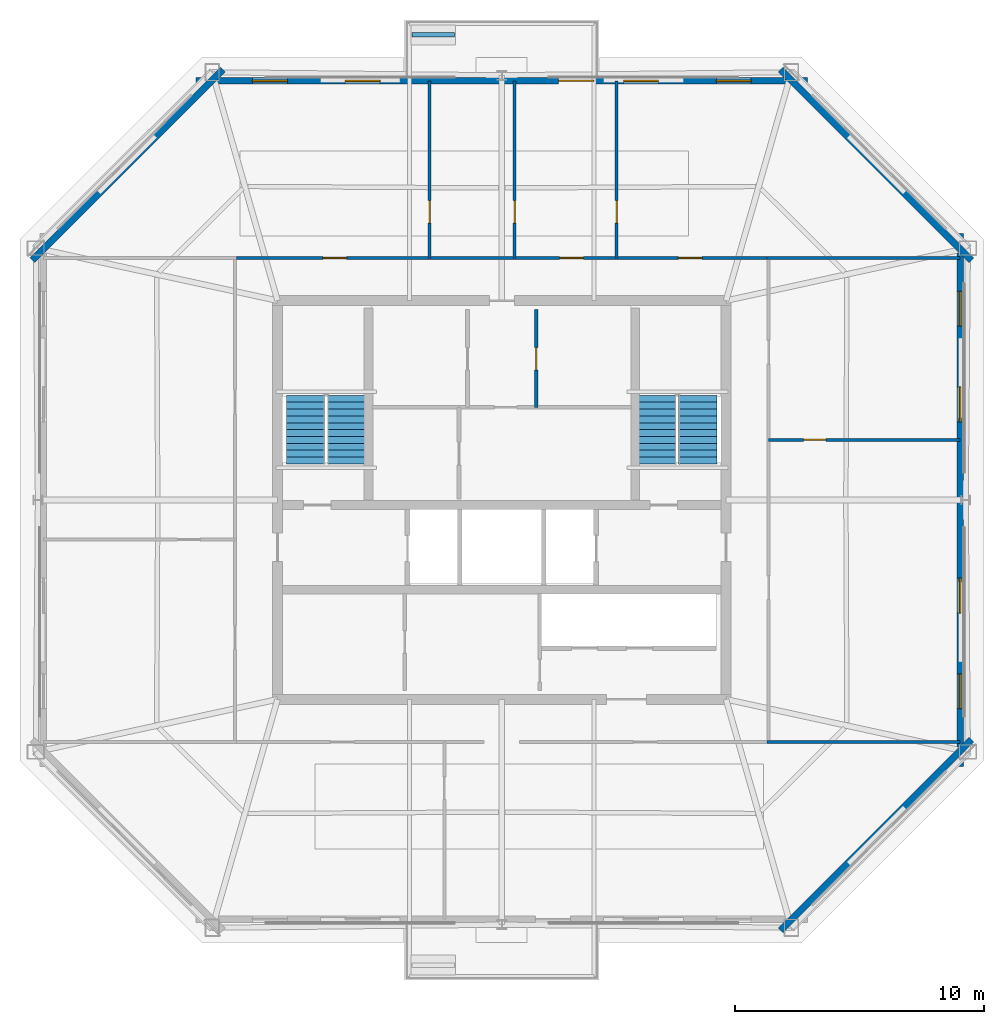
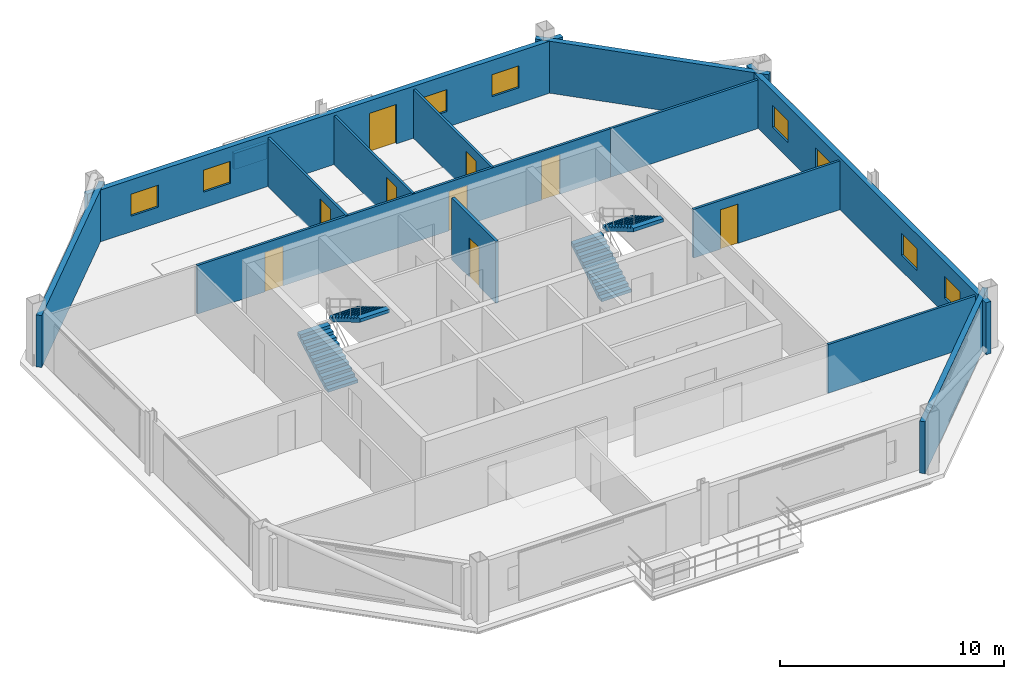
# One storey, part 4 of 7: 14 walls, 9 doors, 8 windows, 4 stair flights, 17 openings, 2 elements without a shape of their own.
"""IFC4 building model written with IfcOpenShell, lengths in metres."""

import ifcopenshell
import ifcopenshell.guid

model = None  # the IFC model being written
_history = None  # IfcOwnerHistory: only IFC2X3 demands one
_inside = {}  # id of a spatial element -> (the spatial element, [elements in it])
_under = {}  # id of a project, library or spatial element -> (it, [spatial elements below it])
_declared = {}  # id of a project -> (the project, [libraries it declares])
_typed = {}  # id of a type object -> (the type object, [elements of that type])
_made_of = {}  # id of a material, layer set ... -> (it, [elements and type objects made of it])


def new_model(schema):
    """Start an empty IFC model of exactly this schema.

    Asked for "IFC4X3", IfcOpenShell would pick the latest addendum, in which some entities
    have other attributes; the version numbers below select the first issue.
    IFC2X3 requires an IfcOwnerHistory on every rooted entity: one is made here for all.
    """
    global model, _history
    if schema == "IFC4X3":
        model = ifcopenshell.file(schema_version=(4, 3, 0, 0))
    else:
        model = ifcopenshell.file(schema=schema)
    _inside.clear()
    _under.clear()
    _declared.clear()
    _typed.clear()
    _made_of.clear()
    _history = None
    if model.schema == "IFC2X3":
        org = make("IfcOrganization", Name="unknown")
        user = make(
            "IfcPersonAndOrganization",
            ThePerson=make("IfcPerson", FamilyName="unknown"),
            TheOrganization=org,
        )
        app = make(
            "IfcApplication",
            ApplicationDeveloper=org,
            Version="unknown",
            ApplicationFullName="unknown",
            ApplicationIdentifier="unknown",
        )
        _history = make(
            "IfcOwnerHistory",
            OwningUser=user,
            OwningApplication=app,
            ChangeAction="ADDED",
            CreationDate=0,
        )
    return model


def make(cls, **values):
    """One entity of the class cls with the attributes given. An attribute that is None is left unset."""
    return model.create_entity(
        cls, **{name: value for name, value in values.items() if value is not None}
    )


def rooted(cls, **values):
    """An entity with a GlobalId (a new one), such as an element, a storey or a relation."""
    return make(cls, GlobalId=ifcopenshell.guid.new(), OwnerHistory=_history, **values)


def si_unit(unit_type, name, prefix=None):
    """IfcSIUnit, for example si_unit("LENGTHUNIT", "METRE", prefix="MILLI")."""
    return make("IfcSIUnit", UnitType=unit_type, Prefix=prefix, Name=name)


def assignment(units):
    """IfcUnitAssignment: the units of a project."""
    return None if units is None else make("IfcUnitAssignment", Units=units)


def point(xyz):
    """IfcCartesianPoint."""
    return None if xyz is None else make("IfcCartesianPoint", Coordinates=xyz)


def direction(xyz):
    """IfcDirection."""
    return None if xyz is None else make("IfcDirection", DirectionRatios=xyz)


def frame(location, z_axis=None, x_axis=None):
    """IfcAxis2Placement3D, a coordinate frame: its origin and axes. An axis left out is left unset."""
    return make(
        "IfcAxis2Placement3D",
        Location=point(location),
        Axis=direction(z_axis),
        RefDirection=direction(x_axis),
    )


def frame_2d(location, x_axis=None):
    """IfcAxis2Placement2D, a coordinate frame in the plane: its origin and x axis."""
    return make(
        "IfcAxis2Placement2D", Location=point(location), RefDirection=direction(x_axis)
    )


def origin():
    """The frame at (0, 0, 0) with its axes left unset."""
    return frame((0.0, 0.0, 0.0))


def place(relative_to, where):
    """IfcLocalPlacement: puts the frame where relative to a parent placement (None: the world)."""
    return make(
        "IfcLocalPlacement", PlacementRelTo=relative_to, RelativePlacement=where
    )


def context(
    kind, dimensions, precision=None, world=None, true_north=None, identifier=None
):
    """IfcGeometricRepresentationContext, for example the 3D "Model" context."""
    return make(
        "IfcGeometricRepresentationContext",
        ContextIdentifier=identifier,
        ContextType=kind,
        CoordinateSpaceDimension=dimensions,
        Precision=precision,
        WorldCoordinateSystem=world,
        TrueNorth=true_north,
    )


def subcontext(parent, identifier, kind, view, scale=None):
    """IfcGeometricRepresentationSubContext, for example "Body" below "Model"."""
    return make(
        "IfcGeometricRepresentationSubContext",
        ContextIdentifier=identifier,
        ContextType=kind,
        ParentContext=parent,
        TargetScale=scale,
        TargetView=view,
    )


def project(units=None, contexts=None):
    """IfcProject with its units and contexts."""
    return rooted(
        "IfcProject",
        Name="project",
        RepresentationContexts=contexts,
        UnitsInContext=assignment(units),
    )


def spatial(cls, under=None, at=None, **own):
    """A site, building, storey or space (cls), placed at a placement, below another one or the project."""
    s = rooted(cls, ObjectPlacement=at, **own)
    if under is not None:
        _under.setdefault(under.id(), (under, []))[1].append(s)
    return s


def polyline(points):
    """IfcPolyline through the points."""
    return make("IfcPolyline", Points=[point(p) for p in points])


def profile(cls, at=None, kind="AREA", **sizes):
    """A parametric profile (cls). Its sizes go by their IFC names, for example OverallWidth=200.0."""
    return make(cls, ProfileType=kind, Position=at, **sizes)


def rectangle(**sizes):
    """IfcRectangleProfileDef."""
    return profile("IfcRectangleProfileDef", **sizes)


def outline(outer, holes=None, kind="AREA"):
    """IfcArbitraryClosedProfileDef: a profile drawn as a closed curve; with holes, ...WithVoids."""
    if holes is None:
        return make("IfcArbitraryClosedProfileDef", ProfileType=kind, OuterCurve=outer)
    return make(
        "IfcArbitraryProfileDefWithVoids",
        ProfileType=kind,
        OuterCurve=outer,
        InnerCurves=holes,
    )


def extrude(swept, where, along, depth):
    """IfcExtrudedAreaSolid: the profile swept, set in the frame where, extruded along a direction by depth."""
    return make(
        "IfcExtrudedAreaSolid",
        SweptArea=swept,
        Position=where,
        ExtrudedDirection=direction(along),
        Depth=depth,
    )


def shape(context_of_items, identifier, shape_type, items):
    """IfcShapeRepresentation: the items that make up one representation, for example the "Body"."""
    return make(
        "IfcShapeRepresentation",
        ContextOfItems=context_of_items,
        RepresentationIdentifier=identifier,
        RepresentationType=shape_type,
        Items=items,
    )


def material(Name=None, Category=None):
    """IfcMaterial."""
    return make("IfcMaterial", Name=Name, Category=Category)


def layer(
    of_material, thickness, ventilated=None, Name=None, Category=None, Priority=None
):
    """IfcMaterialLayer: one layer of a wall or slab, of a material (None: an air gap)."""
    return make(
        "IfcMaterialLayer",
        Material=of_material,
        LayerThickness=thickness,
        IsVentilated=ventilated,
        Name=Name,
        Category=Category,
        Priority=Priority,
    )


def layer_set(layers, Name=None):
    """IfcMaterialLayerSet."""
    return make("IfcMaterialLayerSet", MaterialLayers=layers, LayerSetName=Name)


def made_of(thing, what):
    """Note that an element or type object is made of a material, layer set ...; save() writes the relation."""
    if what is not None:
        _made_of.setdefault(what.id(), (what, []))[1].append(thing)
    return thing


def type_object(cls, material=None, **own):
    """A type object (cls), such as IfcWallType, which elements share."""
    return made_of(rooted(cls, **own), material)


def element(
    cls,
    number,
    at=None,
    inside=None,
    cuts=None,
    type_object=None,
    material=None,
    context=None,
    identifier="Body",
    shape_type=None,
    held_by="IfcProductDefinitionShape",
    body=None,
    shapes=None,
    **own,
):
    """One element of the class cls, such as IfcWall. Its Tag is "e" and its number.

    at: its placement. inside: the storey or other place that contains it. cuts: it is an
    opening in that element (IfcRelVoidsElement). A single representation is given by context,
    identifier, shape_type and body (its items); several are given by shapes. held_by: the class
    of the entity that holds the representations. save() writes the other relations.
    """
    e = rooted(cls, Tag="e%d" % number, ObjectPlacement=at, **own)
    if body is not None:
        shapes = [shape(context, identifier, shape_type, body)]
    if shapes is not None:
        e.Representation = make(held_by, Representations=shapes)
    if inside is not None:
        _inside.setdefault(inside.id(), (inside, []))[1].append(e)
    if cuts is not None:
        rooted(
            "IfcRelVoidsElement", RelatingBuildingElement=cuts, RelatedOpeningElement=e
        )
    if type_object is not None:
        _typed.setdefault(type_object.id(), (type_object, []))[1].append(e)
    return made_of(e, material)


def fill(opening, filler):
    """IfcRelFillsElement: the door or window that sits in an opening."""
    return rooted(
        "IfcRelFillsElement",
        RelatingOpeningElement=opening,
        RelatedBuildingElement=filler,
    )


def aggregate(whole, parts):
    """IfcRelAggregates: a whole, such as a stair, and the parts it consists of."""
    return rooted("IfcRelAggregates", RelatingObject=whole, RelatedObjects=parts)


def save(model, path):
    """Write the relations noted so far, then the file.

    IfcRelAggregates (storeys below a building ...), IfcRelContainedInSpatialStructure (elements
    in a storey), IfcRelDefinesByType, IfcRelAssociatesMaterial and IfcRelDeclares: one each for
    every whole, place, type object, material and project.
    """
    for whole, parts in _under.values():
        aggregate(whole, parts)
    for where, things in _inside.values():
        rooted(
            "IfcRelContainedInSpatialStructure",
            RelatedElements=things,
            RelatingStructure=where,
        )
    for kind, things in _typed.values():
        rooted("IfcRelDefinesByType", RelatedObjects=things, RelatingType=kind)
    for what, things in _made_of.values():
        rooted("IfcRelAssociatesMaterial", RelatedObjects=things, RelatingMaterial=what)
    for by, libraries in _declared.values():
        rooted("IfcRelDeclares", RelatingContext=by, RelatedDefinitions=libraries)
    model.write(path)


model = new_model("IFC4")

# Units and contexts
model_context = context("Model", 3, precision=1e-05, world=origin(), true_north=direction((0.0, 1.0)))
body_context = subcontext(model_context, "Body", "Model", "MODEL_VIEW")
ifc_project = project(units=[si_unit("LENGTHUNIT", "METRE"), si_unit("AREAUNIT", "SQUARE_METRE"), si_unit("VOLUMEUNIT", "CUBIC_METRE"), si_unit("PLANEANGLEUNIT", "RADIAN"), si_unit("MASSUNIT", "GRAM", prefix="KILO")], contexts=[model_context])

# Site, building, storey
site_placement = place(None, origin())
site = spatial("IfcSite", under=ifc_project, at=site_placement, CompositionType="ELEMENT")
building_placement = place(site_placement, origin())
building = spatial("IfcBuilding", under=site, at=building_placement, Name="Caelvoria Tower", CompositionType="ELEMENT")
storey_placement = place(building_placement, frame((0.0, 0.0, 253.800048828125)))
storey = spatial("IfcBuildingStorey", under=building, at=storey_placement, Name="L67", CompositionType="ELEMENT", Elevation=253.800048828125)

# Wall
ifc_material_1 = material(Name="Bronze-Clad Concrete C40/50", Category="concrete")
ifc_layer_1 = layer(ifc_material_1, 0.179931640625, Name="Bronze-Clad Concrete C40/50")
ifc_layer_set_1 = layer_set([ifc_layer_1], Name="Architectural Planter Kerb Wall 180 - Bronze-Clad Concrete C40/50")
wall_type_1 = type_object("IfcWallType", Name="Architectural Planter Kerb Wall 180", PredefinedType="PARAPET", material=ifc_layer_set_1)
wall_1_placement = place(storey_placement, frame((42.39990234375, 50.66357421875, 0.0), z_axis=(0.0, 0.0, 1.0), x_axis=(1.0, 0.0, 0.0)))
element("IfcWall", 1, at=wall_1_placement, inside=storey, type_object=wall_type_1, Name="Tree Balcony Planter Kerb PLANTER TB-L67-N", PredefinedType="PARAPET", context=body_context, shape_type="SweptSolid", body=[
    extrude(rectangle(XDim=1.7001953125, YDim=0.179931640625, at=frame_2d((0.85009765625, 0.0))), origin(), (0.0, 0.0, 1.0), 0.8798828125),
])

# Wall, opening, door
ifc_material_2 = material(Name="Double Gypsum Board on Steel Stud", Category="steel")
ifc_layer_2 = layer(ifc_material_2, 0.14990234375, Name="Double Gypsum Board on Steel Stud")
ifc_layer_set_2 = layer_set([ifc_layer_2], Name="Core Service Acoustic Partition Wall 150 - Double Gypsum Board on Steel Stud")
wall_type_2 = type_object("IfcWallType", Name="Core Service Acoustic Partition Wall 150", PredefinedType="PARTITIONING", material=ifc_layer_set_2)
wall_2_placement = place(storey_placement, frame((47.3798828125, 35.719970703125, 0.0), z_axis=(0.0, 0.0, 1.0), x_axis=(0.0, 1.0, 0.0)))
wall_2 = element("IfcWall", 2, at=wall_2_placement, inside=storey, type_object=wall_type_2, Name="Interior Partition IW-L67-C0R", PredefinedType="PARTITIONING", context=body_context, shape_type="SweptSolid", body=[
    extrude(rectangle(XDim=3.929931640625, YDim=0.14990234375, at=frame_2d((1.96484375, 0.0))), origin(), (0.0, 0.0, 1.0), 3.375),
])
opening_1_placement = place(wall_2_placement, frame((1.5, 0.0, 0.0)))
opening_1 = element("IfcOpeningElement", 3, at=opening_1_placement, cuts=wall_2, Name="Opening ID-06", PredefinedType="OPENING", context=body_context, shape_type="SweptSolid", body=[
    extrude(rectangle(XDim=0.89990234375, YDim=2.14990234375, at=frame_2d((0.449951171875, 1.074951171875))), frame((0.0, 0.0849609375, 0.0), z_axis=(0.0, -1.0, 0.0), x_axis=(1.0, 0.0, 0.0)), (0.0, 0.0, 1.0), 0.169921875),
])
ifc_material_3 = material(Name="Engineered Andean Oak Veneer Door", Category="wood")
door_type_1 = type_object("IfcDoorType", Name="Interior Timber Door 900x2150", OperationType="NOTDEFINED", PredefinedType="DOOR", material=ifc_material_3)
door_1_placement = place(opening_1_placement, origin())
door_1 = element("IfcDoor", 4, at=door_1_placement, inside=storey, type_object=door_type_1, Name="Interior Door DR-L67-C02", OperationType="SINGLE_SWING_RIGHT", OverallHeight=2.14990234375, OverallWidth=0.89990234375, PredefinedType="DOOR", context=body_context, shape_type="SweptSolid", body=[
    extrude(rectangle(XDim=0.89990234375, YDim=2.14990234375, at=frame_2d((0.449951171875, 1.074951171875))), frame((0.0, 0.02490234375, 0.0), z_axis=(0.0, -1.0, 0.0), x_axis=(1.0, 0.0, 0.0)), (0.0, 0.0, 1.0), 0.050048828125),
])
fill(opening_1, door_1)

ifc_material_4 = material(Name="Acoustic Gypsum Board on Light-Gauge Stud", Category="gypsum")
ifc_layer_3 = layer(ifc_material_4, 0.1201171875, Name="Acoustic Gypsum Board on Light-Gauge Stud")
ifc_layer_set_3 = layer_set([ifc_layer_3], Name="Tenant Suite Acoustic Partition Wall 120 - Acoustic Gypsum Board on Light-Gauge Stud")
wall_type_3 = type_object("IfcWallType", Name="Tenant Suite Acoustic Partition Wall 120", PredefinedType="PARTITIONING", material=ifc_layer_set_3)
wall_3_placement = place(storey_placement, frame((43.103759765625, 41.7099609375, 0.0), z_axis=(0.0, 0.0, 1.0), x_axis=(0.0, 1.0, 0.0)))
wall_3 = element("IfcWall", 5, at=wall_3_placement, inside=storey, type_object=wall_type_3, Name="Interior Partition IW-L67-ND-00-0", PredefinedType="PARTITIONING", context=body_context, shape_type="SweptSolid", body=[
    extrude(rectangle(XDim=7.113525390625, YDim=0.1201171875, at=frame_2d((3.556640625, 0.0))), origin(), (0.0, 0.0, 1.0), 2.655029296875),
])
opening_2_placement = place(wall_3_placement, frame((1.39990234375, 0.0, 0.0)))
opening_2 = element("IfcOpeningElement", 6, at=opening_2_placement, cuts=wall_3, Name="Opening ID-06", PredefinedType="OPENING", context=body_context, shape_type="SweptSolid", body=[
    extrude(rectangle(XDim=0.89990234375, YDim=2.14990234375, at=frame_2d((0.449951171875, 1.074951171875))), frame((0.0, 0.070068359375, 0.0), z_axis=(0.0, -1.0, 0.0), x_axis=(1.0, 0.0, 0.0)), (0.0, 0.0, 1.0), 0.14013671875),
])
door_2_placement = place(opening_2_placement, origin())
door_2 = element("IfcDoor", 7, at=door_2_placement, inside=storey, type_object=door_type_1, Name="Interior Door DR-L67-NM-00-0", OperationType="SINGLE_SWING_RIGHT", OverallHeight=2.14990234375, OverallWidth=0.89990234375, PredefinedType="DOOR", context=body_context, shape_type="SweptSolid", body=[
    extrude(rectangle(XDim=0.89990234375, YDim=2.14990234375, at=frame_2d((0.449951171875, 1.074951171875))), frame((0.0, 0.02490234375, 0.0), z_axis=(0.0, -1.0, 0.0), x_axis=(1.0, 0.0, 0.0)), (0.0, 0.0, 1.0), 0.050048828125),
])
fill(opening_2, door_2)

wall_4_placement = place(storey_placement, frame((46.518798828125, 41.7099609375, 0.0), z_axis=(0.0, 0.0, 1.0), x_axis=(0.0, 1.0, 0.0)))
wall_4 = element("IfcWall", 8, at=wall_4_placement, inside=storey, type_object=wall_type_3, Name="Interior Partition IW-L67-ND-01-0", PredefinedType="PARTITIONING", context=body_context, shape_type="SweptSolid", body=[
    extrude(rectangle(XDim=7.113525390625, YDim=0.1201171875, at=frame_2d((3.556640625, 0.0))), origin(), (0.0, 0.0, 1.0), 2.655029296875),
])
opening_3_placement = place(wall_4_placement, frame((1.39990234375, 0.0, 0.0)))
opening_3 = element("IfcOpeningElement", 9, at=opening_3_placement, cuts=wall_4, Name="Opening ID-06", PredefinedType="OPENING", context=body_context, shape_type="SweptSolid", body=[
    extrude(rectangle(XDim=0.89990234375, YDim=2.14990234375, at=frame_2d((0.449951171875, 1.074951171875))), frame((0.0, 0.070068359375, 0.0), z_axis=(0.0, -1.0, 0.0), x_axis=(1.0, 0.0, 0.0)), (0.0, 0.0, 1.0), 0.14013671875),
])
door_3_placement = place(opening_3_placement, origin())
door_3 = element("IfcDoor", 10, at=door_3_placement, inside=storey, type_object=door_type_1, Name="Interior Door DR-L67-NM-01-0", OperationType="SINGLE_SWING_LEFT", OverallHeight=2.14990234375, OverallWidth=0.89990234375, PredefinedType="DOOR", context=body_context, shape_type="SweptSolid", body=[
    extrude(rectangle(XDim=0.89990234375, YDim=2.14990234375, at=frame_2d((0.449951171875, 1.074951171875))), frame((0.0, 0.02490234375, 0.0), z_axis=(0.0, -1.0, 0.0), x_axis=(1.0, 0.0, 0.0)), (0.0, 0.0, 1.0), 0.050048828125),
])
fill(opening_3, door_3)

wall_5_placement = place(storey_placement, frame((50.60888671875, 41.7099609375, 0.0), z_axis=(0.0, 0.0, 1.0), x_axis=(0.0, 1.0, 0.0)))
wall_5 = element("IfcWall", 11, at=wall_5_placement, inside=storey, type_object=wall_type_3, Name="Interior Partition IW-L67-ND-02-0", PredefinedType="PARTITIONING", context=body_context, shape_type="SweptSolid", body=[
    extrude(rectangle(XDim=7.113525390625, YDim=0.1201171875, at=frame_2d((3.556640625, 0.0))), origin(), (0.0, 0.0, 1.0), 2.655029296875),
])
opening_4_placement = place(wall_5_placement, frame((1.39990234375, 0.0, 0.0)))
opening_4 = element("IfcOpeningElement", 12, at=opening_4_placement, cuts=wall_5, Name="Opening ID-06", PredefinedType="OPENING", context=body_context, shape_type="SweptSolid", body=[
    extrude(rectangle(XDim=0.89990234375, YDim=2.14990234375, at=frame_2d((0.449951171875, 1.074951171875))), frame((0.0, 0.070068359375, 0.0), z_axis=(0.0, -1.0, 0.0), x_axis=(1.0, 0.0, 0.0)), (0.0, 0.0, 1.0), 0.14013671875),
])
door_4_placement = place(opening_4_placement, origin())
door_4 = element("IfcDoor", 13, at=door_4_placement, inside=storey, type_object=door_type_1, Name="Interior Door DR-L67-NM-02-0", OperationType="SINGLE_SWING_RIGHT", OverallHeight=2.14990234375, OverallWidth=0.89990234375, PredefinedType="DOOR", context=body_context, shape_type="SweptSolid", body=[
    extrude(rectangle(XDim=0.89990234375, YDim=2.14990234375, at=frame_2d((0.449951171875, 1.074951171875))), frame((0.0, 0.02490234375, 0.0), z_axis=(0.0, -1.0, 0.0), x_axis=(1.0, 0.0, 0.0)), (0.0, 0.0, 1.0), 0.050048828125),
])
fill(opening_4, door_4)

# Wall, openings, doors
wall_6_placement = place(storey_placement, frame((35.35009765625, 41.7099609375, 0.0), z_axis=(0.0, 0.0, 1.0), x_axis=(1.0, 0.0, 0.0)))
wall_6 = element("IfcWall", 14, at=wall_6_placement, inside=storey, type_object=wall_type_3, Name="Interior Partition IW-L67-NCW-0", PredefinedType="PARTITIONING", context=body_context, shape_type="SweptSolid", body=[
    extrude(rectangle(XDim=21.2998046875, YDim=0.1201171875, at=frame_2d((10.64990234375, 0.0))), origin(), (0.0, 0.0, 1.0), 2.655029296875),
])
opening_5_placement = place(wall_6_placement, frame((3.471923828125, 0.0, 0.0)))
opening_5 = element("IfcOpeningElement", 15, at=opening_5_placement, cuts=wall_6, Name="Opening ID-05", PredefinedType="OPENING", context=body_context, shape_type="SweptSolid", body=[
    extrude(rectangle(XDim=0.949951171875, YDim=2.14990234375, at=frame_2d((0.47509765625, 1.074951171875))), frame((0.0, 0.070068359375, 0.0), z_axis=(0.0, -1.0, 0.0), x_axis=(1.0, 0.0, 0.0)), (0.0, 0.0, 1.0), 0.14013671875),
])
opening_6_placement = place(wall_6_placement, frame((12.974609375, 0.0, 0.0)))
opening_6 = element("IfcOpeningElement", 16, at=opening_6_placement, cuts=wall_6, Name="Opening ID-05", PredefinedType="OPENING", context=body_context, shape_type="SweptSolid", body=[
    extrude(rectangle(XDim=0.949951171875, YDim=2.14990234375, at=frame_2d((0.47509765625, 1.074951171875))), frame((0.0, 0.070068359375, 0.0), z_axis=(0.0, -1.0, 0.0), x_axis=(1.0, 0.0, 0.0)), (0.0, 0.0, 1.0), 0.14013671875),
])
opening_7_placement = place(wall_6_placement, frame((17.734619140625, 0.0, 0.0)))
opening_7 = element("IfcOpeningElement", 17, at=opening_7_placement, cuts=wall_6, Name="Opening ID-05", PredefinedType="OPENING", context=body_context, shape_type="SweptSolid", body=[
    extrude(rectangle(XDim=0.949951171875, YDim=2.14990234375, at=frame_2d((0.47509765625, 1.074951171875))), frame((0.0, 0.070068359375, 0.0), z_axis=(0.0, -1.0, 0.0), x_axis=(1.0, 0.0, 0.0)), (0.0, 0.0, 1.0), 0.14013671875),
])
door_type_2 = type_object("IfcDoorType", Name="Interior Timber Door 950x2150", OperationType="NOTDEFINED", PredefinedType="DOOR", material=ifc_material_3)
door_5_placement = place(opening_5_placement, origin())
door_5 = element("IfcDoor", 18, at=door_5_placement, inside=storey, type_object=door_type_2, Name="Interior Door DR-L67-NC-00-0", OperationType="SINGLE_SWING_RIGHT", OverallHeight=2.14990234375, OverallWidth=0.949951171875, PredefinedType="DOOR", context=body_context, shape_type="SweptSolid", body=[
    extrude(rectangle(XDim=0.949951171875, YDim=2.14990234375, at=frame_2d((0.47509765625, 1.074951171875))), frame((0.0, 0.02490234375, 0.0), z_axis=(0.0, -1.0, 0.0), x_axis=(1.0, 0.0, 0.0)), (0.0, 0.0, 1.0), 0.050048828125),
])
fill(opening_5, door_5)
door_6_placement = place(opening_6_placement, origin())
door_6 = element("IfcDoor", 19, at=door_6_placement, inside=storey, type_object=door_type_2, Name="Interior Door DR-L67-NC-02-0", OperationType="SINGLE_SWING_RIGHT", OverallHeight=2.14990234375, OverallWidth=0.949951171875, PredefinedType="DOOR", context=body_context, shape_type="SweptSolid", body=[
    extrude(rectangle(XDim=0.949951171875, YDim=2.14990234375, at=frame_2d((0.47509765625, 1.074951171875))), frame((0.0, 0.02490234375, 0.0), z_axis=(0.0, -1.0, 0.0), x_axis=(1.0, 0.0, 0.0)), (0.0, 0.0, 1.0), 0.050048828125),
])
fill(opening_6, door_6)
door_7_placement = place(opening_7_placement, origin())
door_7 = element("IfcDoor", 20, at=door_7_placement, inside=storey, type_object=door_type_2, Name="Interior Door DR-L67-NC-03-0", OperationType="SINGLE_SWING_LEFT", OverallHeight=2.14990234375, OverallWidth=0.949951171875, PredefinedType="DOOR", context=body_context, shape_type="SweptSolid", body=[
    extrude(rectangle(XDim=0.949951171875, YDim=2.14990234375, at=frame_2d((0.47509765625, 1.074951171875))), frame((0.0, 0.02490234375, 0.0), z_axis=(0.0, -1.0, 0.0), x_axis=(1.0, 0.0, 0.0)), (0.0, 0.0, 1.0), 0.050048828125),
])
fill(opening_7, door_7)

# Wall, opening, door
wall_7_placement = place(storey_placement, frame((56.7099609375, 34.413330078125, 0.0), z_axis=(0.0, 0.0, 1.0), x_axis=(1.0, 0.0, 0.0)))
wall_7 = element("IfcWall", 21, at=wall_7_placement, inside=storey, type_object=wall_type_3, Name="Interior Partition IW-L67-ED-00-0", PredefinedType="PARTITIONING", context=body_context, shape_type="SweptSolid", body=[
    extrude(rectangle(XDim=7.6865234375, YDim=0.1201171875, at=frame_2d((3.84326171875, 0.0))), origin(), (0.0, 0.0, 1.0), 2.655029296875),
])
opening_8_placement = place(wall_7_placement, frame((1.39990234375, 0.0, 0.0)))
opening_8 = element("IfcOpeningElement", 22, at=opening_8_placement, cuts=wall_7, Name="Opening ID-06", PredefinedType="OPENING", context=body_context, shape_type="SweptSolid", body=[
    extrude(rectangle(XDim=0.89990234375, YDim=2.14990234375, at=frame_2d((0.449951171875, 1.074951171875))), frame((0.0, 0.070068359375, 0.0), z_axis=(0.0, -1.0, 0.0), x_axis=(1.0, 0.0, 0.0)), (0.0, 0.0, 1.0), 0.14013671875),
])
door_8_placement = place(opening_8_placement, origin())
door_8 = element("IfcDoor", 23, at=door_8_placement, inside=storey, type_object=door_type_1, Name="Interior Door DR-L67-EM-00-0", OperationType="SINGLE_SWING_RIGHT", OverallHeight=2.14990234375, OverallWidth=0.89990234375, PredefinedType="DOOR", context=body_context, shape_type="SweptSolid", body=[
    extrude(rectangle(XDim=0.89990234375, YDim=2.14990234375, at=frame_2d((0.449951171875, 1.074951171875))), frame((0.0, 0.02490234375, 0.0), z_axis=(0.0, -1.0, 0.0), x_axis=(1.0, 0.0, 0.0)), (0.0, 0.0, 1.0), 0.050048828125),
])
fill(opening_8, door_8)

# Walls
for number, where, z_axis, x_axis, name in (
    (24, (56.64990234375, 22.2900390625, 0.0), (0.0, 0.0, 1.0), (1.0, 0.0, 0.0), "Interior Partition IW-L67-BSE-0"),
    (25, (56.64990234375, 41.7099609375, 0.0), (0.0, 0.0, 1.0), (1.0, 0.0, 0.0), "Interior Partition IW-L67-BNE-0"),
):
    element("IfcWall", number, at=place(storey_placement, frame(where, z_axis=z_axis, x_axis=x_axis)), inside=storey, type_object=wall_type_3, Name=name, PredefinedType="PARTITIONING", context=body_context, shape_type="SweptSolid", body=[
        extrude(rectangle(XDim=7.74658203125, YDim=0.1201171875, at=frame_2d((3.873291015625, 0.0))), origin(), (0.0, 0.0, 1.0), 2.655029296875),
    ])
ifc_material_5 = material(Name="Precast Concrete C40/50 with Bronze Cladding", Category="concrete")
ifc_layer_4 = layer(ifc_material_5, 0.264892578125, Name="Precast Concrete C40/50 with Bronze Cladding")
ifc_layer_set_4 = layer_set([ifc_layer_4], Name="Upper Taper Precast Concrete C40/50 Bronze Facade Wall 265 - Precast Concrete C40/50 with Bronze Cladding")
wall_type_4 = type_object("IfcWallType", Name="Upper Taper Precast Concrete C40/50 Bronze Facade Wall 265", PredefinedType="STANDARD", material=ifc_layer_set_4)
wall_8_placement = place(storey_placement, frame((57.19287109375, 14.7314453125, 0.0), z_axis=(0.0, 0.0, 1.0), x_axis=(0.707106781187, 0.707106781187, 0.0)))
element("IfcWall", 26, at=wall_8_placement, inside=storey, type_object=wall_type_4, Name="Exterior Facade Wall L67-E1", PredefinedType="STANDARD", context=body_context, shape_type="SweptSolid", body=[
    extrude(rectangle(XDim=10.81640625, YDim=0.264892578125, at=frame_2d((5.408203125, 0.0))), origin(), (0.0, 0.0, 1.0), 2.83203125),
])

# Wall, openings, windows
wall_9_placement = place(storey_placement, frame((64.396484375, 21.305419921875, 0.0), z_axis=(0.0, 0.0, 1.0), x_axis=(0.0, 1.0, 0.0)))
wall_9 = element("IfcWall", 27, at=wall_9_placement, inside=storey, type_object=wall_type_4, Name="Exterior Facade Wall L67-E2", PredefinedType="STANDARD", context=body_context, shape_type="SweptSolid", body=[
    extrude(rectangle(XDim=21.38916015625, YDim=0.264892578125, at=frame_2d((10.694580078125, 0.0))), origin(), (0.0, 0.0, 1.0), 2.83203125),
])
opening_9_placement = place(wall_9_placement, frame((2.31884765625, 0.0, 0.85009765625)))
opening_9 = element("IfcOpeningElement", 28, at=opening_9_placement, cuts=wall_9, Name="Opening WN-06", PredefinedType="OPENING", context=body_context, shape_type="SweptSolid", body=[
    extrude(rectangle(XDim=1.39990234375, YDim=1.199951171875, at=frame_2d((0.699951171875, 0.60009765625))), frame((0.0, 0.142333984375, 0.0), z_axis=(0.0, -1.0, 0.0), x_axis=(1.0, 0.0, 0.0)), (0.0, 0.0, 1.0), 0.284912109375),
])
opening_10_placement = place(wall_9_placement, frame((6.15673828125, 0.0, 0.85009765625)))
opening_10 = element("IfcOpeningElement", 29, at=opening_10_placement, cuts=wall_9, Name="Opening WN-06", PredefinedType="OPENING", context=body_context, shape_type="SweptSolid", body=[
    extrude(rectangle(XDim=1.39990234375, YDim=1.199951171875, at=frame_2d((0.699951171875, 0.60009765625))), frame((0.0, 0.142333984375, 0.0), z_axis=(0.0, -1.0, 0.0), x_axis=(1.0, 0.0, 0.0)), (0.0, 0.0, 1.0), 0.284912109375),
])
opening_11_placement = place(wall_9_placement, frame((13.832275390625, 0.0, 0.85009765625)))
opening_11 = element("IfcOpeningElement", 30, at=opening_11_placement, cuts=wall_9, Name="Opening WN-06", PredefinedType="OPENING", context=body_context, shape_type="SweptSolid", body=[
    extrude(rectangle(XDim=1.39990234375, YDim=1.199951171875, at=frame_2d((0.699951171875, 0.60009765625))), frame((0.0, 0.142333984375, 0.0), z_axis=(0.0, -1.0, 0.0), x_axis=(1.0, 0.0, 0.0)), (0.0, 0.0, 1.0), 0.284912109375),
])
opening_12_placement = place(wall_9_placement, frame((17.670166015625, 0.0, 0.85009765625)))
opening_12 = element("IfcOpeningElement", 31, at=opening_12_placement, cuts=wall_9, Name="Opening WN-06", PredefinedType="OPENING", context=body_context, shape_type="SweptSolid", body=[
    extrude(rectangle(XDim=1.39990234375, YDim=1.199951171875, at=frame_2d((0.699951171875, 0.60009765625))), frame((0.0, 0.142333984375, 0.0), z_axis=(0.0, -1.0, 0.0), x_axis=(1.0, 0.0, 0.0)), (0.0, 0.0, 1.0), 0.284912109375),
])
ifc_material_6 = material(Name="Low-E Tinted Glass in Bronze Aluminium Frame", Category="aluminium")
window_type = type_object("IfcWindowType", Name="Podium Clerestory Window 1400x1200", PartitioningType="SINGLE_PANEL", PredefinedType="WINDOW", material=ifc_material_6)
window_1_placement = place(opening_9_placement, origin())
window_1 = element("IfcWindow", 32, at=window_1_placement, inside=storey, type_object=window_type, Name="Facade Window L67-E2-00", OverallHeight=1.199951171875, OverallWidth=1.39990234375, PartitioningType="SINGLE_PANEL", PredefinedType="WINDOW", context=body_context, shape_type="SweptSolid", body=[
    extrude(rectangle(XDim=1.39990234375, YDim=1.199951171875, at=frame_2d((0.699951171875, 0.60009765625))), frame((0.0, 0.030029296875, 0.0), z_axis=(0.0, -1.0, 0.0), x_axis=(1.0, 0.0, 0.0)), (0.0, 0.0, 1.0), 0.06005859375),
])
fill(opening_9, window_1)
window_2_placement = place(opening_10_placement, origin())
window_2 = element("IfcWindow", 33, at=window_2_placement, inside=storey, type_object=window_type, Name="Facade Window L67-E2-01", OverallHeight=1.199951171875, OverallWidth=1.39990234375, PartitioningType="SINGLE_PANEL", PredefinedType="WINDOW", context=body_context, shape_type="SweptSolid", body=[
    extrude(rectangle(XDim=1.39990234375, YDim=1.199951171875, at=frame_2d((0.699951171875, 0.60009765625))), frame((0.0, 0.030029296875, 0.0), z_axis=(0.0, -1.0, 0.0), x_axis=(1.0, 0.0, 0.0)), (0.0, 0.0, 1.0), 0.06005859375),
])
fill(opening_10, window_2)
window_3_placement = place(opening_11_placement, origin())
window_3 = element("IfcWindow", 34, at=window_3_placement, inside=storey, type_object=window_type, Name="Facade Window L67-E2-03", OverallHeight=1.199951171875, OverallWidth=1.39990234375, PartitioningType="SINGLE_PANEL", PredefinedType="WINDOW", context=body_context, shape_type="SweptSolid", body=[
    extrude(rectangle(XDim=1.39990234375, YDim=1.199951171875, at=frame_2d((0.699951171875, 0.60009765625))), frame((0.0, 0.030029296875, 0.0), z_axis=(0.0, -1.0, 0.0), x_axis=(1.0, 0.0, 0.0)), (0.0, 0.0, 1.0), 0.06005859375),
])
fill(opening_11, window_3)
window_4_placement = place(opening_12_placement, origin())
window_4 = element("IfcWindow", 35, at=window_4_placement, inside=storey, type_object=window_type, Name="Facade Window L67-E2-04", OverallHeight=1.199951171875, OverallWidth=1.39990234375, PartitioningType="SINGLE_PANEL", PredefinedType="WINDOW", context=body_context, shape_type="SweptSolid", body=[
    extrude(rectangle(XDim=1.39990234375, YDim=1.199951171875, at=frame_2d((0.699951171875, 0.60009765625))), frame((0.0, 0.030029296875, 0.0), z_axis=(0.0, -1.0, 0.0), x_axis=(1.0, 0.0, 0.0)), (0.0, 0.0, 1.0), 0.06005859375),
])
fill(opening_12, window_4)

# Wall
wall_10_placement = place(storey_placement, frame((64.84130859375, 41.6201171875, 0.0), z_axis=(0.0, 0.0, 1.0), x_axis=(-0.707106781187, 0.707106781187, 0.0)))
element("IfcWall", 36, at=wall_10_placement, inside=storey, type_object=wall_type_4, Name="Exterior Facade Wall L67-E3", PredefinedType="STANDARD", context=body_context, shape_type="SweptSolid", body=[
    extrude(rectangle(XDim=10.81640625, YDim=0.264892578125, at=frame_2d((5.408203125, 0.0))), origin(), (0.0, 0.0, 1.0), 2.83203125),
])

# Wall, openings, windows, door
wall_11_placement = place(storey_placement, frame((58.267333984375, 48.823486328125, 0.0), z_axis=(0.0, 0.0, 1.0), x_axis=(-1.0, 0.0, 0.0)))
wall_11 = element("IfcWall", 37, at=wall_11_placement, inside=storey, type_object=wall_type_4, Name="Exterior Facade Wall L67-E4", PredefinedType="STANDARD", context=body_context, shape_type="SweptSolid", body=[
    extrude(rectangle(XDim=24.53466796875, YDim=0.264892578125, at=frame_2d((12.267333984375, 0.0))), origin(), (0.0, 0.0, 1.0), 2.83203125),
])
opening_13_placement = place(wall_11_placement, frame((8.58740234375, 0.0, 0.0)))
opening_13 = element("IfcOpeningElement", 38, at=opening_13_placement, cuts=wall_11, Name="Opening ED-04", PredefinedType="OPENING", context=body_context, shape_type="SweptSolid", body=[
    extrude(rectangle(XDim=1.39990234375, YDim=2.14990234375, at=frame_2d((0.699951171875, 1.074951171875))), frame((0.0, 0.142333984375, 0.0), z_axis=(0.0, -1.0, 0.0), x_axis=(1.0, 0.0, 0.0)), (0.0, 0.0, 1.0), 0.284912109375),
])
opening_14_placement = place(wall_11_placement, frame((2.26123046875, 0.0, 0.85009765625)))
opening_14 = element("IfcOpeningElement", 39, at=opening_14_placement, cuts=wall_11, Name="Opening WN-06", PredefinedType="OPENING", context=body_context, shape_type="SweptSolid", body=[
    extrude(rectangle(XDim=1.39990234375, YDim=1.199951171875, at=frame_2d((0.699951171875, 0.60009765625))), frame((0.0, 0.142333984375, 0.0), z_axis=(0.0, -1.0, 0.0), x_axis=(1.0, 0.0, 0.0)), (0.0, 0.0, 1.0), 0.284912109375),
])
opening_15_placement = place(wall_11_placement, frame((5.983642578125, 0.0, 0.85009765625)))
opening_15 = element("IfcOpeningElement", 40, at=opening_15_placement, cuts=wall_11, Name="Opening WN-06", PredefinedType="OPENING", context=body_context, shape_type="SweptSolid", body=[
    extrude(rectangle(XDim=1.39990234375, YDim=1.199951171875, at=frame_2d((0.699951171875, 0.60009765625))), frame((0.0, 0.142333984375, 0.0), z_axis=(0.0, -1.0, 0.0), x_axis=(1.0, 0.0, 0.0)), (0.0, 0.0, 1.0), 0.284912109375),
])
opening_16_placement = place(wall_11_placement, frame((17.15087890625, 0.0, 0.85009765625)))
opening_16 = element("IfcOpeningElement", 41, at=opening_16_placement, cuts=wall_11, Name="Opening WN-06", PredefinedType="OPENING", context=body_context, shape_type="SweptSolid", body=[
    extrude(rectangle(XDim=1.39990234375, YDim=1.199951171875, at=frame_2d((0.699951171875, 0.60009765625))), frame((0.0, 0.142333984375, 0.0), z_axis=(0.0, -1.0, 0.0), x_axis=(1.0, 0.0, 0.0)), (0.0, 0.0, 1.0), 0.284912109375),
])
opening_17_placement = place(wall_11_placement, frame((20.873291015625, 0.0, 0.85009765625)))
opening_17 = element("IfcOpeningElement", 42, at=opening_17_placement, cuts=wall_11, Name="Opening WN-06", PredefinedType="OPENING", context=body_context, shape_type="SweptSolid", body=[
    extrude(rectangle(XDim=1.39990234375, YDim=1.199951171875, at=frame_2d((0.699951171875, 0.60009765625))), frame((0.0, 0.142333984375, 0.0), z_axis=(0.0, -1.0, 0.0), x_axis=(1.0, 0.0, 0.0)), (0.0, 0.0, 1.0), 0.284912109375),
])
window_5_placement = place(opening_14_placement, origin())
window_5 = element("IfcWindow", 43, at=window_5_placement, inside=storey, type_object=window_type, Name="Facade Window L67-E4-00", OverallHeight=1.199951171875, OverallWidth=1.39990234375, PartitioningType="SINGLE_PANEL", PredefinedType="WINDOW", context=body_context, shape_type="SweptSolid", body=[
    extrude(rectangle(XDim=1.39990234375, YDim=1.199951171875, at=frame_2d((0.699951171875, 0.60009765625))), frame((0.0, 0.030029296875, 0.0), z_axis=(0.0, -1.0, 0.0), x_axis=(1.0, 0.0, 0.0)), (0.0, 0.0, 1.0), 0.06005859375),
])
fill(opening_14, window_5)
window_6_placement = place(opening_15_placement, origin())
window_6 = element("IfcWindow", 44, at=window_6_placement, inside=storey, type_object=window_type, Name="Facade Window L67-E4-01", OverallHeight=1.199951171875, OverallWidth=1.39990234375, PartitioningType="SINGLE_PANEL", PredefinedType="WINDOW", context=body_context, shape_type="SweptSolid", body=[
    extrude(rectangle(XDim=1.39990234375, YDim=1.199951171875, at=frame_2d((0.699951171875, 0.60009765625))), frame((0.0, 0.030029296875, 0.0), z_axis=(0.0, -1.0, 0.0), x_axis=(1.0, 0.0, 0.0)), (0.0, 0.0, 1.0), 0.06005859375),
])
fill(opening_15, window_6)
window_7_placement = place(opening_16_placement, origin())
window_7 = element("IfcWindow", 45, at=window_7_placement, inside=storey, type_object=window_type, Name="Facade Window L67-E4-04", OverallHeight=1.199951171875, OverallWidth=1.39990234375, PartitioningType="SINGLE_PANEL", PredefinedType="WINDOW", context=body_context, shape_type="SweptSolid", body=[
    extrude(rectangle(XDim=1.39990234375, YDim=1.199951171875, at=frame_2d((0.699951171875, 0.60009765625))), frame((0.0, 0.030029296875, 0.0), z_axis=(0.0, -1.0, 0.0), x_axis=(1.0, 0.0, 0.0)), (0.0, 0.0, 1.0), 0.06005859375),
])
fill(opening_16, window_7)
window_8_placement = place(opening_17_placement, origin())
window_8 = element("IfcWindow", 46, at=window_8_placement, inside=storey, type_object=window_type, Name="Facade Window L67-E4-05", OverallHeight=1.199951171875, OverallWidth=1.39990234375, PartitioningType="SINGLE_PANEL", PredefinedType="WINDOW", context=body_context, shape_type="SweptSolid", body=[
    extrude(rectangle(XDim=1.39990234375, YDim=1.199951171875, at=frame_2d((0.699951171875, 0.60009765625))), frame((0.0, 0.030029296875, 0.0), z_axis=(0.0, -1.0, 0.0), x_axis=(1.0, 0.0, 0.0)), (0.0, 0.0, 1.0), 0.06005859375),
])
fill(opening_17, window_8)
ifc_material_7 = material(Name="Anodised Bronze Aluminium and Laminated Glass", Category="aluminium")
door_type_3 = type_object("IfcDoorType", Name="Tree Balcony Glazed Door 1400x2150", OperationType="NOTDEFINED", PredefinedType="DOOR", material=ifc_material_7)
door_9_placement = place(opening_13_placement, origin())
door_9 = element("IfcDoor", 47, at=door_9_placement, inside=storey, type_object=door_type_3, Name="Tree Balcony Door L67-N", OperationType="SINGLE_SWING_RIGHT", OverallHeight=2.14990234375, OverallWidth=1.39990234375, PredefinedType="DOOR", context=body_context, shape_type="SweptSolid", body=[
    extrude(rectangle(XDim=1.39990234375, YDim=2.14990234375, at=frame_2d((0.699951171875, 1.074951171875))), frame((0.0, 0.02490234375, 0.0), z_axis=(0.0, -1.0, 0.0), x_axis=(1.0, 0.0, 0.0)), (0.0, 0.0, 1.0), 0.050048828125),
])
fill(opening_13, door_9)

# Wall
wall_12_placement = place(storey_placement, frame((34.80712890625, 49.2685546875, 0.0), z_axis=(0.0, 0.0, 1.0), x_axis=(-0.707106781187, -0.707106781187, 0.0)))
element("IfcWall", 48, at=wall_12_placement, inside=storey, type_object=wall_type_4, Name="Exterior Facade Wall L67-E5", PredefinedType="STANDARD", context=body_context, shape_type="SweptSolid", body=[
    extrude(rectangle(XDim=10.81640625, YDim=0.264892578125, at=frame_2d((5.408203125, 0.0))), origin(), (0.0, 0.0, 1.0), 2.83203125),
])

# Stair, stair flights
ifc_material_8 = material(Name="Concrete C40/50", Category="concrete")
stair_type = type_object("IfcStairType", Name="Core Smokeproof Dogleg Stair Concrete C40/50", PredefinedType="HALF_TURN_STAIR", material=ifc_material_8)
stair_1_placement = place(storey_placement, origin())
stair_1 = element("IfcStair", 49, at=stair_1_placement, inside=storey, type_object=stair_type, Name="ST-01 Smokeproof Exit Stair L67", PredefinedType="HALF_TURN_STAIR")
ifc_material_9 = material(Name="Precast Concrete C40/50", Category="concrete")
stair_flight_type = type_object("IfcStairFlightType", Name="Precast Concrete C40/50 Stair Flight 1480", PredefinedType="STRAIGHT", material=ifc_material_9)
stair_flight_1_placement = place(storey_placement, frame((38.1298828125, 33.449951171875, 0.0), z_axis=(0.0, 0.0, 1.0), x_axis=(0.0, 1.0, 0.0)))
stair_flight_1 = element("IfcStairFlight", 50, at=stair_flight_1_placement, type_object=stair_flight_type, Name="ST-01 flight 1", NumberOfRisers=11, NumberOfTreads=10, PredefinedType="STRAIGHT", RiserHeight=0.1636, TreadLength=0.275, context=body_context, shape_type="SweptSolid", body=[
    extrude(outline(polyline([(0.0, 0.0), (0.0, 0.16357421875), (0.27490234375, 0.16357421875), (0.27490234375, 0.3271484375), (0.550048828125, 0.3271484375), (0.550048828125, 0.49072265625), (0.824951171875, 0.49072265625), (0.824951171875, 0.654296875), (1.10009765625, 0.654296875), (1.10009765625, 0.818115234375), (1.375, 0.818115234375), (1.375, 0.981689453125), (1.64990234375, 0.981689453125), (1.64990234375, 1.145263671875), (1.925048828125, 1.145263671875), (1.925048828125, 1.308837890625), (2.199951171875, 1.308837890625), (2.199951171875, 1.472412109375), (2.47509765625, 1.472412109375), (2.47509765625, 1.635986328125), (2.75, 1.635986328125), (2.75, 1.799560546875), (2.75, 1.449951171875), (0.312744140625, 0.0), (0.0, 0.0)])), frame((0.0, 0.77001953125, 0.0), z_axis=(0.0, -1.0, 0.0), x_axis=(1.0, 0.0, 0.0)), (0.0, 0.0, 1.0), 1.5400390625),
])
stair_flight_2_placement = place(storey_placement, frame((39.77001953125, 36.199951171875, 1.800048828125), z_axis=(0.0, 0.0, 1.0), x_axis=(0.0, -1.0, 0.0)))
stair_flight_2 = element("IfcStairFlight", 51, at=stair_flight_2_placement, type_object=stair_flight_type, Name="ST-01 flight 2", NumberOfRisers=11, NumberOfTreads=10, PredefinedType="STRAIGHT", RiserHeight=0.1636, TreadLength=0.275, context=body_context, shape_type="SweptSolid", body=[
    extrude(outline(polyline([(0.0, 0.0), (0.0, 0.16357421875), (0.27490234375, 0.16357421875), (0.27490234375, 0.3271484375), (0.550048828125, 0.3271484375), (0.550048828125, 0.49072265625), (0.824951171875, 0.49072265625), (0.824951171875, 0.654296875), (1.10009765625, 0.654296875), (1.10009765625, 0.818115234375), (1.375, 0.818115234375), (1.375, 0.981689453125), (1.64990234375, 0.981689453125), (1.64990234375, 1.145263671875), (1.925048828125, 1.145263671875), (1.925048828125, 1.308837890625), (2.199951171875, 1.308837890625), (2.199951171875, 1.472412109375), (2.47509765625, 1.472412109375), (2.47509765625, 1.635986328125), (2.75, 1.635986328125), (2.75, 1.799560546875), (2.75, 1.449951171875), (0.312744140625, 0.0), (0.0, 0.0)])), frame((0.0, 0.77001953125, 0.0), z_axis=(0.0, -1.0, 0.0), x_axis=(1.0, 0.0, 0.0)), (0.0, 0.0, 1.0), 1.5400390625),
])
aggregate(stair_1, [stair_flight_1, stair_flight_2])

stair_2_placement = place(storey_placement, origin())
stair_2 = element("IfcStair", 52, at=stair_2_placement, inside=storey, type_object=stair_type, Name="ST-02 Smokeproof Exit Stair L67", PredefinedType="HALF_TURN_STAIR")
stair_flight_3_placement = place(storey_placement, frame((52.22998046875, 33.449951171875, 0.0), z_axis=(0.0, 0.0, 1.0), x_axis=(0.0, 1.0, 0.0)))
stair_flight_3 = element("IfcStairFlight", 53, at=stair_flight_3_placement, type_object=stair_flight_type, Name="ST-02 flight 1", NumberOfRisers=11, NumberOfTreads=10, PredefinedType="STRAIGHT", RiserHeight=0.1636, TreadLength=0.275, context=body_context, shape_type="SweptSolid", body=[
    extrude(outline(polyline([(0.0, 0.0), (0.0, 0.16357421875), (0.27490234375, 0.16357421875), (0.27490234375, 0.3271484375), (0.550048828125, 0.3271484375), (0.550048828125, 0.49072265625), (0.824951171875, 0.49072265625), (0.824951171875, 0.654296875), (1.10009765625, 0.654296875), (1.10009765625, 0.818115234375), (1.375, 0.818115234375), (1.375, 0.981689453125), (1.64990234375, 0.981689453125), (1.64990234375, 1.145263671875), (1.925048828125, 1.145263671875), (1.925048828125, 1.308837890625), (2.199951171875, 1.308837890625), (2.199951171875, 1.472412109375), (2.47509765625, 1.472412109375), (2.47509765625, 1.635986328125), (2.75, 1.635986328125), (2.75, 1.799560546875), (2.75, 1.449951171875), (0.312744140625, 0.0), (0.0, 0.0)])), frame((0.0, 0.77001953125, 0.0), z_axis=(0.0, -1.0, 0.0), x_axis=(1.0, 0.0, 0.0)), (0.0, 0.0, 1.0), 1.5400390625),
])
stair_flight_4_placement = place(storey_placement, frame((53.8701171875, 36.199951171875, 1.800048828125), z_axis=(0.0, 0.0, 1.0), x_axis=(0.0, -1.0, 0.0)))
stair_flight_4 = element("IfcStairFlight", 54, at=stair_flight_4_placement, type_object=stair_flight_type, Name="ST-02 flight 2", NumberOfRisers=11, NumberOfTreads=10, PredefinedType="STRAIGHT", RiserHeight=0.1636, TreadLength=0.275, context=body_context, shape_type="SweptSolid", body=[
    extrude(outline(polyline([(0.0, 0.0), (0.0, 0.16357421875), (0.27490234375, 0.16357421875), (0.27490234375, 0.3271484375), (0.550048828125, 0.3271484375), (0.550048828125, 0.49072265625), (0.824951171875, 0.49072265625), (0.824951171875, 0.654296875), (1.10009765625, 0.654296875), (1.10009765625, 0.818115234375), (1.375, 0.818115234375), (1.375, 0.981689453125), (1.64990234375, 0.981689453125), (1.64990234375, 1.145263671875), (1.925048828125, 1.145263671875), (1.925048828125, 1.308837890625), (2.199951171875, 1.308837890625), (2.199951171875, 1.472412109375), (2.47509765625, 1.472412109375), (2.47509765625, 1.635986328125), (2.75, 1.635986328125), (2.75, 1.799560546875), (2.75, 1.449951171875), (0.312744140625, 0.0), (0.0, 0.0)])), frame((0.0, 0.77001953125, 0.0), z_axis=(0.0, -1.0, 0.0), x_axis=(1.0, 0.0, 0.0)), (0.0, 0.0, 1.0), 1.5400390625),
])
aggregate(stair_2, [stair_flight_3, stair_flight_4])

save(model, "model.ifc")
